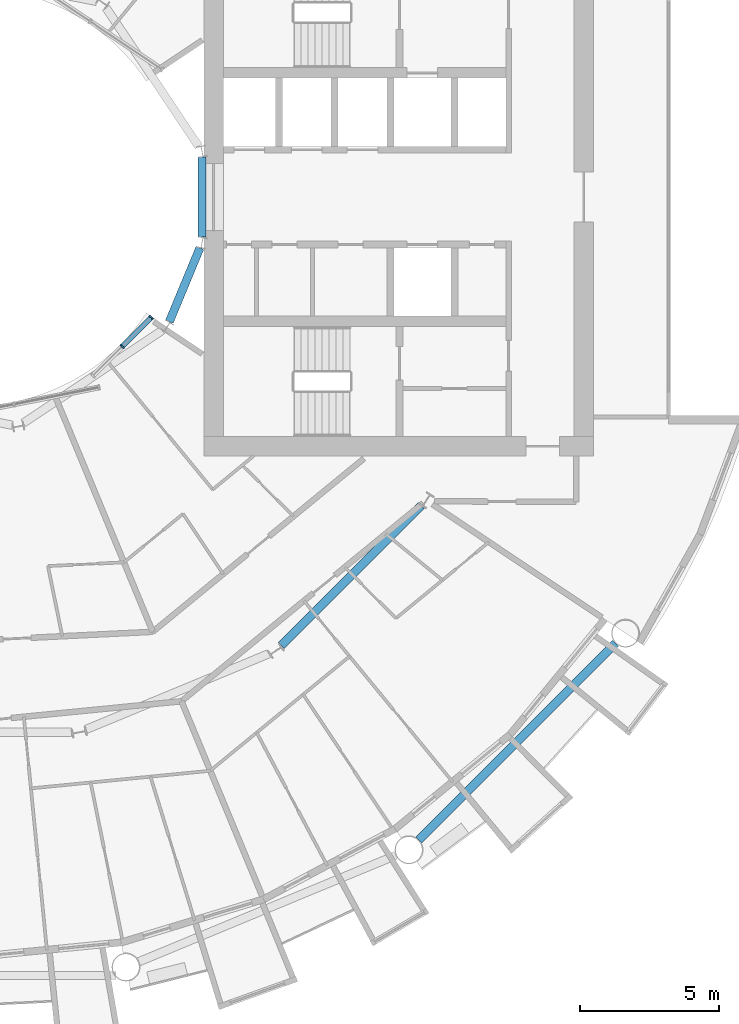
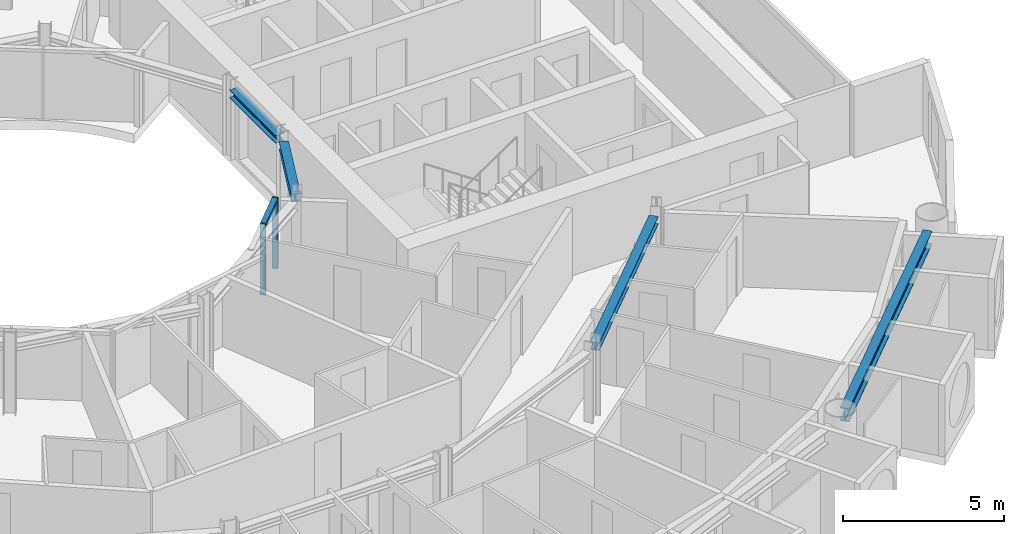
# One storey, part 6 of 26: 4 beams, 3 members, 1 element without a shape of its own.
"""IFC4 building model written with IfcOpenShell, lengths in metres."""

from ifc_helpers import new_model, si_unit, direction, frame, origin, origin_2d, place, context, subcontext, project, spatial, rectangle, i_section, extrude, material, layer, layer_set, material_profile, profile_set, type_object, element, aggregate, save


model = new_model("IFC4")

# Units and contexts
model_context = context("Model", 3, precision=1e-05, world=origin(), true_north=direction((0.0, 1.0)))
body_context = subcontext(model_context, "Body", "Model", "MODEL_VIEW")
ifc_project = project(units=[si_unit("LENGTHUNIT", "METRE"), si_unit("AREAUNIT", "SQUARE_METRE"), si_unit("VOLUMEUNIT", "CUBIC_METRE"), si_unit("PLANEANGLEUNIT", "RADIAN"), si_unit("MASSUNIT", "GRAM", prefix="KILO")], contexts=[model_context])

# Site, building, storey
site_placement = place(None, origin())
site = spatial("IfcSite", under=ifc_project, at=site_placement, CompositionType="ELEMENT")
building_placement = place(site_placement, origin())
building = spatial("IfcBuilding", under=site, at=building_placement, Name="Maasbend Ring Residences", CompositionType="ELEMENT")
storey_placement = place(building_placement, frame((0.0, 0.0, 66.64990234375)))
storey = spatial("IfcBuildingStorey", under=building, at=storey_placement, Name="L18", CompositionType="ELEMENT", Elevation=66.64990234375)

# Curtain wall, members
ifc_material_1 = material(Name="Aluminium and clear glass", Category="aluminium")
ifc_layer = layer(ifc_material_1, 0.179931640625)
ifc_layer_set = layer_set([ifc_layer], Name="CW-W")
curtain_wall_type = type_object("IfcCurtainWallType", Name="CW-W", PredefinedType="NOTDEFINED", material=ifc_layer_set)
curtain_wall_placement = place(storey_placement, origin())
curtain_wall = element("IfcCurtainWall", 1, at=curtain_wall_placement, inside=storey, type_object=curtain_wall_type, Name="Well curtain wall S3", PredefinedType="NOTDEFINED")
ifc_material_2 = material(Name="Aluminium 6063-T6", Category="aluminium")
ifc_material_profile_1 = material_profile(ifc_material_2, rectangle(XDim=0.179931640625, YDim=0.06005859375, at=origin_2d()), Name="AL 180x60")
ifc_profile_set_1 = profile_set([ifc_material_profile_1], Name="Aluminium 6063-T6")
member_type_1 = type_object("IfcMemberType", Name="CWM-W", PredefinedType="MULLION", material=ifc_profile_set_1)
member_1_placement = place(storey_placement, frame((5.366943359375, -5.366943359375, 0.0), z_axis=(0.0, 0.0, 1.0), x_axis=(-0.707106781187, 0.707106781187, 0.0)))
member_1 = element("IfcMember", 2, at=member_1_placement, type_object=member_type_1, Name="Mullion well face", PredefinedType="MULLION", context=body_context, shape_type="SweptSolid", body=[
    extrude(rectangle(XDim=0.179931640625, YDim=0.06005859375, at=origin_2d()), origin(), (0.0, 0.0, 1.0), 2.7001953125),
])
member_2_placement = place(storey_placement, frame((6.413330078125, -4.320556640625, 0.0), z_axis=(0.0, 0.0, 1.0), x_axis=(-0.707106781187, 0.707106781187, 0.0)))
member_2 = element("IfcMember", 3, at=member_2_placement, type_object=member_type_1, Name="Mullion well face", PredefinedType="MULLION", context=body_context, shape_type="SweptSolid", body=[
    extrude(rectangle(XDim=0.179931640625, YDim=0.06005859375, at=origin_2d()), origin(), (0.0, 0.0, 1.0), 2.7001953125),
])
ifc_material_3 = material(Name="Aluminium 6063-T6", Category="aluminium")
ifc_material_profile_2 = material_profile(ifc_material_3, rectangle(XDim=0.179931640625, YDim=0.1201171875, at=origin_2d()), Name="AL 180x120")
ifc_profile_set_2 = profile_set([ifc_material_profile_2], Name="Aluminium 6063-T6")
member_type_2 = type_object("IfcMemberType", Name="CWT-W", PredefinedType="USERDEFINED", material=ifc_profile_set_2)
member_3_placement = place(storey_placement, frame((5.38818359375, -5.345703125, 2.64013671875), z_axis=(0.707106781187, 0.707106781187, 0.0), x_axis=(-0.707106781187, 0.707106781187, 0.0)))
member_3 = element("IfcMember", 4, at=member_3_placement, type_object=member_type_2, Name="Transom well face", ObjectType="TRANSOM", PredefinedType="USERDEFINED", context=body_context, shape_type="SweptSolid", body=[
    extrude(rectangle(XDim=0.179931640625, YDim=0.1201171875, at=origin_2d()), origin(), (0.0, 0.0, 1.0), 1.419677734375),
])
aggregate(curtain_wall, [member_1, member_2, member_3])

# Beams
ifc_material_4 = material(Name="Steel S355J2", Category="steel")
ifc_material_profile_3 = material_profile(ifc_material_4, i_section(OverallWidth=0.300048828125, OverallDepth=0.300048828125, WebThickness=0.010986328125, FlangeThickness=0.01904296875, FilletRadius=0.027099609375, at=origin_2d()), Name="HEB 300")
ifc_profile_set_3 = profile_set([ifc_material_profile_3], Name="Steel S355J2")
beam_type_1 = type_object("IfcBeamType", Name="Corridor ring beam HEB 300", PredefinedType="BEAM", material=ifc_profile_set_3)
beam_1_placement = place(storey_placement, frame((11.078125, -16.10791015625, 2.550048828125), z_axis=(0.707106781187, 0.707106781187, 0.0), x_axis=(-0.707106781187, 0.707106781187, 0.0)))
element("IfcBeam", 5, at=beam_1_placement, inside=storey, type_object=beam_type_1, Name="Corridor ring beam", PredefinedType="BEAM", context=body_context, shape_type="SweptSolid", body=[
    extrude(i_section(OverallWidth=0.300048828125, OverallDepth=0.300048828125, WebThickness=0.010986328125, FlangeThickness=0.01904296875, FilletRadius=0.027099609375, at=origin_2d()), origin(), (0.0, 0.0, 1.0), 7.11328125),
])
ifc_material_5 = material(Name="Steel S355J2", Category="steel")
ifc_material_profile_4 = material_profile(ifc_material_5, i_section(OverallWidth=0.300048828125, OverallDepth=0.5, WebThickness=0.014404296875, FlangeThickness=0.028076171875, FilletRadius=0.027099609375, at=origin_2d()), Name="HEB 500")
ifc_profile_set_4 = profile_set([ifc_material_profile_4], Name="Steel S355J2")
beam_type_2 = type_object("IfcBeamType", Name="Spandrel ring beam HEB 500", PredefinedType="SPANDREL", material=ifc_profile_set_4)
beam_2_placement = place(storey_placement, frame((16.0263671875, -23.088134765625, 2.4501953125), z_axis=(0.707106781187, 0.707106781187, 0.0), x_axis=(-0.707106781187, 0.707106781187, 0.0)))
element("IfcBeam", 6, at=beam_2_placement, inside=storey, type_object=beam_type_2, Name="Spandrel ring beam", PredefinedType="SPANDREL", context=body_context, shape_type="SweptSolid", body=[
    extrude(i_section(OverallWidth=0.300048828125, OverallDepth=0.5, WebThickness=0.014404296875, FlangeThickness=0.028076171875, FilletRadius=0.027099609375, at=origin_2d()), origin(), (0.0, 0.0, 1.0), 9.98681640625),
])
ifc_material_6 = material(Name="Steel S355J2", Category="steel")
ifc_material_profile_5 = material_profile(ifc_material_6, i_section(OverallWidth=0.300048828125, OverallDepth=0.300048828125, WebThickness=0.010986328125, FlangeThickness=0.01904296875, FilletRadius=0.027099609375, at=origin_2d()), Name="HEB 300")
ifc_profile_set_5 = profile_set([ifc_material_profile_5], Name="Steel S355J2")
beam_type_3 = type_object("IfcBeamType", Name="Well edge beam HEB 300", PredefinedType="BEAM", material=ifc_profile_set_5)
beam_3_placement = place(storey_placement, frame((7.062255859375, -4.478515625, 2.550048828125), z_axis=(0.382729955172, 0.923860260761, 0.0), x_axis=(-0.923860260761, 0.382729955172, 0.0)))
element("IfcBeam", 7, at=beam_3_placement, inside=storey, type_object=beam_type_3, Name="Well edge beam", PredefinedType="BEAM", context=body_context, shape_type="SweptSolid", body=[
    extrude(i_section(OverallWidth=0.300048828125, OverallDepth=0.300048828125, WebThickness=0.010986328125, FlangeThickness=0.01904296875, FilletRadius=0.027099609375, at=origin_2d()), origin(), (0.0, 0.0, 1.0), 2.869873046875),
])
beam_4_placement = place(storey_placement, frame((8.238525390625, -1.434814453125, 2.550048828125), z_axis=(0.0, 1.0, 0.0), x_axis=(-1.0, 0.0, 0.0)))
element("IfcBeam", 8, at=beam_4_placement, inside=storey, type_object=beam_type_3, Name="Well edge beam", PredefinedType="BEAM", context=body_context, shape_type="SweptSolid", body=[
    extrude(i_section(OverallWidth=0.300048828125, OverallDepth=0.300048828125, WebThickness=0.010986328125, FlangeThickness=0.01904296875, FilletRadius=0.027099609375, at=origin_2d()), origin(), (0.0, 0.0, 1.0), 2.86962890625),
])

save(model, "model.ifc")
